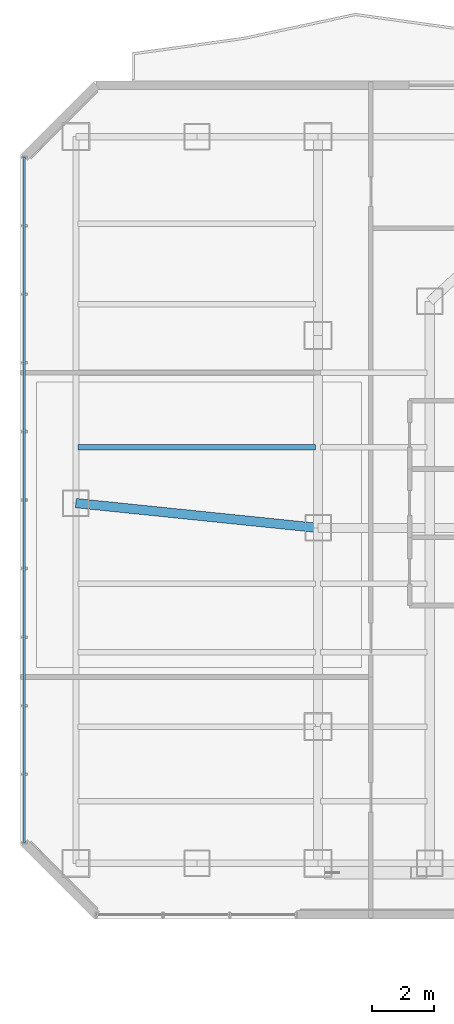
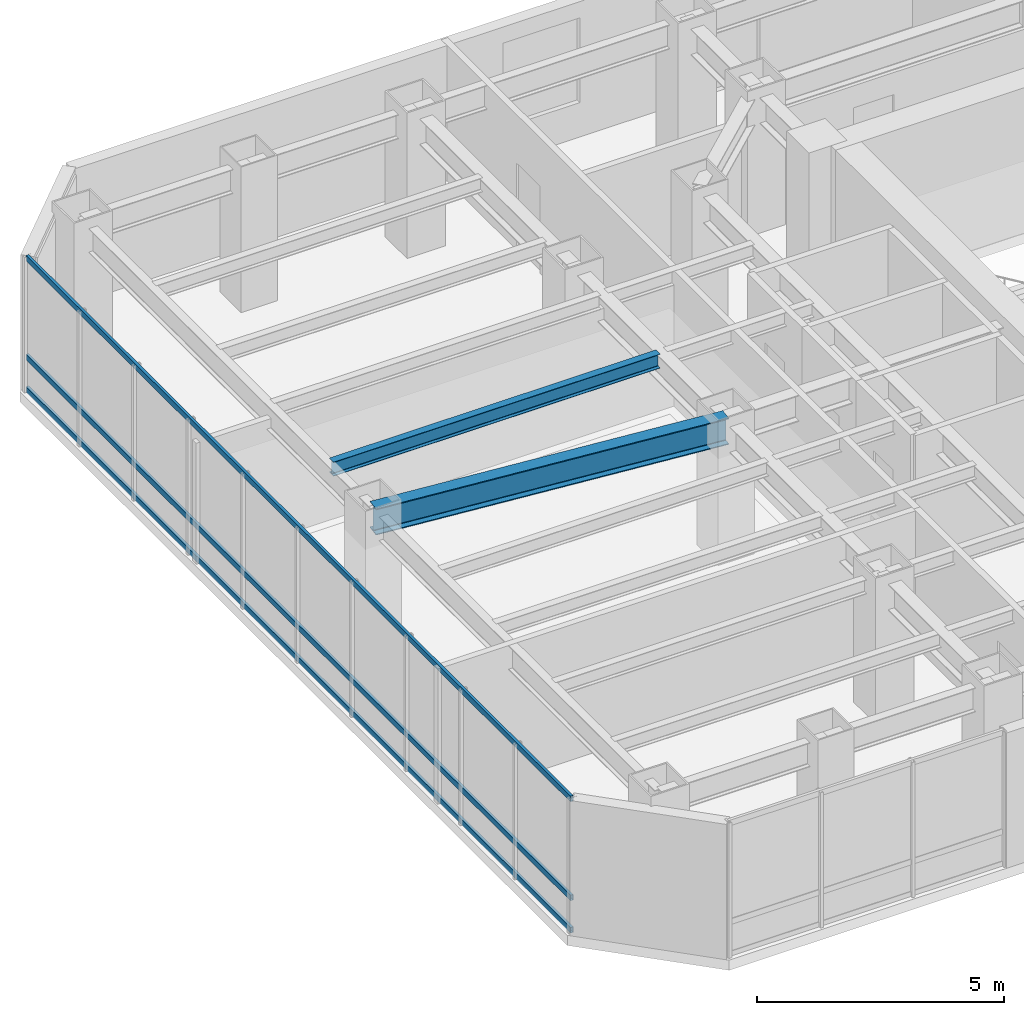
# One storey, part 14 of 29: 3 members, 2 beams, 1 element without a shape of its own.
"""IFC4 building model written with IfcOpenShell, lengths in metres."""

import ifcopenshell
import ifcopenshell.guid

model = None  # the IFC model being written
_history = None  # IfcOwnerHistory: only IFC2X3 demands one
_inside = {}  # id of a spatial element -> (the spatial element, [elements in it])
_under = {}  # id of a project, library or spatial element -> (it, [spatial elements below it])
_declared = {}  # id of a project -> (the project, [libraries it declares])
_typed = {}  # id of a type object -> (the type object, [elements of that type])
_made_of = {}  # id of a material, layer set ... -> (it, [elements and type objects made of it])


def new_model(schema):
    """Start an empty IFC model of exactly this schema.

    Asked for "IFC4X3", IfcOpenShell would pick the latest addendum, in which some entities
    have other attributes; the version numbers below select the first issue.
    IFC2X3 requires an IfcOwnerHistory on every rooted entity: one is made here for all.
    """
    global model, _history
    if schema == "IFC4X3":
        model = ifcopenshell.file(schema_version=(4, 3, 0, 0))
    else:
        model = ifcopenshell.file(schema=schema)
    _inside.clear()
    _under.clear()
    _declared.clear()
    _typed.clear()
    _made_of.clear()
    _history = None
    if model.schema == "IFC2X3":
        org = make("IfcOrganization", Name="unknown")
        user = make(
            "IfcPersonAndOrganization",
            ThePerson=make("IfcPerson", FamilyName="unknown"),
            TheOrganization=org,
        )
        app = make(
            "IfcApplication",
            ApplicationDeveloper=org,
            Version="unknown",
            ApplicationFullName="unknown",
            ApplicationIdentifier="unknown",
        )
        _history = make(
            "IfcOwnerHistory",
            OwningUser=user,
            OwningApplication=app,
            ChangeAction="ADDED",
            CreationDate=0,
        )
    return model


def make(cls, **values):
    """One entity of the class cls with the attributes given. An attribute that is None is left unset."""
    return model.create_entity(
        cls, **{name: value for name, value in values.items() if value is not None}
    )


def rooted(cls, **values):
    """An entity with a GlobalId (a new one), such as an element, a storey or a relation."""
    return make(cls, GlobalId=ifcopenshell.guid.new(), OwnerHistory=_history, **values)


def si_unit(unit_type, name, prefix=None):
    """IfcSIUnit, for example si_unit("LENGTHUNIT", "METRE", prefix="MILLI")."""
    return make("IfcSIUnit", UnitType=unit_type, Prefix=prefix, Name=name)


def assignment(units):
    """IfcUnitAssignment: the units of a project."""
    return None if units is None else make("IfcUnitAssignment", Units=units)


def point(xyz):
    """IfcCartesianPoint."""
    return None if xyz is None else make("IfcCartesianPoint", Coordinates=xyz)


def direction(xyz):
    """IfcDirection."""
    return None if xyz is None else make("IfcDirection", DirectionRatios=xyz)


def frame(location, z_axis=None, x_axis=None):
    """IfcAxis2Placement3D, a coordinate frame: its origin and axes. An axis left out is left unset."""
    return make(
        "IfcAxis2Placement3D",
        Location=point(location),
        Axis=direction(z_axis),
        RefDirection=direction(x_axis),
    )


def frame_2d(location, x_axis=None):
    """IfcAxis2Placement2D, a coordinate frame in the plane: its origin and x axis."""
    return make(
        "IfcAxis2Placement2D", Location=point(location), RefDirection=direction(x_axis)
    )


def origin():
    """The frame at (0, 0, 0) with its axes left unset."""
    return frame((0.0, 0.0, 0.0))


def origin_2d():
    """The frame at (0, 0) in the plane with its x axis left unset."""
    return frame_2d((0.0, 0.0))


def place(relative_to, where):
    """IfcLocalPlacement: puts the frame where relative to a parent placement (None: the world)."""
    return make(
        "IfcLocalPlacement", PlacementRelTo=relative_to, RelativePlacement=where
    )


def context(
    kind, dimensions, precision=None, world=None, true_north=None, identifier=None
):
    """IfcGeometricRepresentationContext, for example the 3D "Model" context."""
    return make(
        "IfcGeometricRepresentationContext",
        ContextIdentifier=identifier,
        ContextType=kind,
        CoordinateSpaceDimension=dimensions,
        Precision=precision,
        WorldCoordinateSystem=world,
        TrueNorth=true_north,
    )


def subcontext(parent, identifier, kind, view, scale=None):
    """IfcGeometricRepresentationSubContext, for example "Body" below "Model"."""
    return make(
        "IfcGeometricRepresentationSubContext",
        ContextIdentifier=identifier,
        ContextType=kind,
        ParentContext=parent,
        TargetScale=scale,
        TargetView=view,
    )


def project(units=None, contexts=None):
    """IfcProject with its units and contexts."""
    return rooted(
        "IfcProject",
        Name="project",
        RepresentationContexts=contexts,
        UnitsInContext=assignment(units),
    )


def spatial(cls, under=None, at=None, **own):
    """A site, building, storey or space (cls), placed at a placement, below another one or the project."""
    s = rooted(cls, ObjectPlacement=at, **own)
    if under is not None:
        _under.setdefault(under.id(), (under, []))[1].append(s)
    return s


def profile(cls, at=None, kind="AREA", **sizes):
    """A parametric profile (cls). Its sizes go by their IFC names, for example OverallWidth=200.0."""
    return make(cls, ProfileType=kind, Position=at, **sizes)


def hollow_rectangle(**sizes):
    """IfcRectangleHollowProfileDef."""
    return profile("IfcRectangleHollowProfileDef", **sizes)


def i_section(**sizes):
    """IfcIShapeProfileDef."""
    return profile("IfcIShapeProfileDef", **sizes)


def extrude(swept, where, along, depth):
    """IfcExtrudedAreaSolid: the profile swept, set in the frame where, extruded along a direction by depth."""
    return make(
        "IfcExtrudedAreaSolid",
        SweptArea=swept,
        Position=where,
        ExtrudedDirection=direction(along),
        Depth=depth,
    )


def shape(context_of_items, identifier, shape_type, items):
    """IfcShapeRepresentation: the items that make up one representation, for example the "Body"."""
    return make(
        "IfcShapeRepresentation",
        ContextOfItems=context_of_items,
        RepresentationIdentifier=identifier,
        RepresentationType=shape_type,
        Items=items,
    )


def material(Name=None, Category=None):
    """IfcMaterial."""
    return make("IfcMaterial", Name=Name, Category=Category)


def layer(
    of_material, thickness, ventilated=None, Name=None, Category=None, Priority=None
):
    """IfcMaterialLayer: one layer of a wall or slab, of a material (None: an air gap)."""
    return make(
        "IfcMaterialLayer",
        Material=of_material,
        LayerThickness=thickness,
        IsVentilated=ventilated,
        Name=Name,
        Category=Category,
        Priority=Priority,
    )


def layer_set(layers, Name=None):
    """IfcMaterialLayerSet."""
    return make("IfcMaterialLayerSet", MaterialLayers=layers, LayerSetName=Name)


def material_profile(
    of_material, cross_section, Name=None, Category=None, Priority=None
):
    """IfcMaterialProfile: a cross section and its material."""
    return make(
        "IfcMaterialProfile",
        Name=Name,
        Material=of_material,
        Profile=cross_section,
        Priority=Priority,
        Category=Category,
    )


def profile_set(profiles, Name=None, composite=None):
    """IfcMaterialProfileSet."""
    return make(
        "IfcMaterialProfileSet",
        Name=Name,
        MaterialProfiles=profiles,
        CompositeProfile=composite,
    )


def made_of(thing, what):
    """Note that an element or type object is made of a material, layer set ...; save() writes the relation."""
    if what is not None:
        _made_of.setdefault(what.id(), (what, []))[1].append(thing)
    return thing


def type_object(cls, material=None, **own):
    """A type object (cls), such as IfcWallType, which elements share."""
    return made_of(rooted(cls, **own), material)


def element(
    cls,
    number,
    at=None,
    inside=None,
    cuts=None,
    type_object=None,
    material=None,
    context=None,
    identifier="Body",
    shape_type=None,
    held_by="IfcProductDefinitionShape",
    body=None,
    shapes=None,
    **own,
):
    """One element of the class cls, such as IfcWall. Its Tag is "e" and its number.

    at: its placement. inside: the storey or other place that contains it. cuts: it is an
    opening in that element (IfcRelVoidsElement). A single representation is given by context,
    identifier, shape_type and body (its items); several are given by shapes. held_by: the class
    of the entity that holds the representations. save() writes the other relations.
    """
    e = rooted(cls, Tag="e%d" % number, ObjectPlacement=at, **own)
    if body is not None:
        shapes = [shape(context, identifier, shape_type, body)]
    if shapes is not None:
        e.Representation = make(held_by, Representations=shapes)
    if inside is not None:
        _inside.setdefault(inside.id(), (inside, []))[1].append(e)
    if cuts is not None:
        rooted(
            "IfcRelVoidsElement", RelatingBuildingElement=cuts, RelatedOpeningElement=e
        )
    if type_object is not None:
        _typed.setdefault(type_object.id(), (type_object, []))[1].append(e)
    return made_of(e, material)


def aggregate(whole, parts):
    """IfcRelAggregates: a whole, such as a stair, and the parts it consists of."""
    return rooted("IfcRelAggregates", RelatingObject=whole, RelatedObjects=parts)


def save(model, path):
    """Write the relations noted so far, then the file.

    IfcRelAggregates (storeys below a building ...), IfcRelContainedInSpatialStructure (elements
    in a storey), IfcRelDefinesByType, IfcRelAssociatesMaterial and IfcRelDeclares: one each for
    every whole, place, type object, material and project.
    """
    for whole, parts in _under.values():
        aggregate(whole, parts)
    for where, things in _inside.values():
        rooted(
            "IfcRelContainedInSpatialStructure",
            RelatedElements=things,
            RelatingStructure=where,
        )
    for kind, things in _typed.values():
        rooted("IfcRelDefinesByType", RelatedObjects=things, RelatingType=kind)
    for what, things in _made_of.values():
        rooted("IfcRelAssociatesMaterial", RelatedObjects=things, RelatingMaterial=what)
    for by, libraries in _declared.values():
        rooted("IfcRelDeclares", RelatingContext=by, RelatedDefinitions=libraries)
    model.write(path)


model = new_model("IFC4")

# Units and contexts
model_context = context("Model", 3, precision=1e-05, world=origin(), true_north=direction((0.0, 1.0)))
body_context = subcontext(model_context, "Body", "Model", "MODEL_VIEW")
ifc_project = project(units=[si_unit("LENGTHUNIT", "METRE"), si_unit("AREAUNIT", "SQUARE_METRE"), si_unit("VOLUMEUNIT", "CUBIC_METRE"), si_unit("PLANEANGLEUNIT", "RADIAN"), si_unit("MASSUNIT", "GRAM", prefix="KILO")], contexts=[model_context])

# Site, building, storey
site_placement = place(None, origin())
site = spatial("IfcSite", under=ifc_project, at=site_placement, CompositionType="ELEMENT")
building_placement = place(site_placement, origin())
building = spatial("IfcBuilding", under=site, at=building_placement, Name="Hatsunagi Terrace Concourse", CompositionType="ELEMENT")
storey_placement = place(building_placement, frame((0.0, 0.0, 108.449951171875)))
storey = spatial("IfcBuildingStorey", under=building, at=storey_placement, Name="L28", CompositionType="ELEMENT", Elevation=108.449951171875)

# Curtain wall, members
ifc_material_1 = material(Name="Anodised Aluminium Alloy 6063-T5", Category="aluminium")
ifc_layer = layer(ifc_material_1, 0.199951171875)
ifc_layer_set = layer_set([ifc_layer], Name="OfficeZone1_CW03")
curtain_wall_type = type_object("IfcCurtainWallType", Name="OfficeZone1_CW03", PredefinedType="NOTDEFINED", material=ifc_layer_set)
curtain_wall_placement = place(storey_placement, origin())
curtain_wall = element("IfcCurtainWall", 1, at=curtain_wall_placement, inside=storey, type_object=curtain_wall_type, Name="Unitised Curtain Wall CW-03 CW-L28-09", PredefinedType="NOTDEFINED")
ifc_material_2 = material(Name="Anodised Aluminium Alloy 6063-T5", Category="aluminium")
ifc_material_profile_1 = material_profile(ifc_material_2, hollow_rectangle(XDim=0.06494140625, YDim=0.139892578125, WallThickness=0.00390625, at=origin_2d()), Name="ALU-TRN-140x65x4")
ifc_profile_set_1 = profile_set([ifc_material_profile_1], Name="Anodised Aluminium Alloy 6063-T5")
member_type = type_object("IfcMemberType", Name="CurtainWallTransom_140x65", PredefinedType="USERDEFINED", material=ifc_profile_set_1)
member_1_placement = place(storey_placement, frame((9.739990234375, 25.85791015625, 0.050048828125), z_axis=(0.0, 1.0, 0.0), x_axis=(-1.0, 0.0, 0.0)))
member_1 = element("IfcMember", 2, at=member_1_placement, type_object=member_type, Name="Curtain Wall Transom TRN-02", ObjectType="TRANSOM", PredefinedType="USERDEFINED", context=body_context, shape_type="SweptSolid", body=[
    extrude(hollow_rectangle(XDim=0.06494140625, YDim=0.139892578125, WallThickness=0.00390625, at=origin_2d()), origin(), (0.0, 0.0, 1.0), 22.083984375),
])
member_2_placement = place(storey_placement, frame((9.739990234375, 25.85791015625, 0.85009765625), z_axis=(0.0, 1.0, 0.0), x_axis=(-1.0, 0.0, 0.0)))
member_2 = element("IfcMember", 3, at=member_2_placement, type_object=member_type, Name="Curtain Wall Transom TRN-02", ObjectType="TRANSOM", PredefinedType="USERDEFINED", context=body_context, shape_type="SweptSolid", body=[
    extrude(hollow_rectangle(XDim=0.06494140625, YDim=0.139892578125, WallThickness=0.00390625, at=origin_2d()), origin(), (0.0, 0.0, 1.0), 22.083984375),
])
member_3_placement = place(storey_placement, frame((9.739990234375, 25.85791015625, 3.300048828125), z_axis=(0.0, 1.0, 0.0), x_axis=(-1.0, 0.0, 0.0)))
member_3 = element("IfcMember", 4, at=member_3_placement, type_object=member_type, Name="Curtain Wall Transom TRN-02", ObjectType="TRANSOM", PredefinedType="USERDEFINED", context=body_context, shape_type="SweptSolid", body=[
    extrude(hollow_rectangle(XDim=0.06494140625, YDim=0.139892578125, WallThickness=0.00390625, at=origin_2d()), origin(), (0.0, 0.0, 1.0), 22.083984375),
])
aggregate(curtain_wall, [member_1, member_2, member_3])

# Beams
ifc_material_3 = material(Name="Steel SN490B", Category="steel")
ifc_material_profile_2 = material_profile(ifc_material_3, i_section(OverallWidth=0.175048828125, OverallDepth=0.35009765625, WebThickness=0.007080078125, FlangeThickness=0.010986328125, FilletRadius=0.012939453125, at=origin_2d()), Name="H-350x175x7x11")
ifc_profile_set_2 = profile_set([ifc_material_profile_2], Name="Steel SN490B")
beam_type_1 = type_object("IfcBeamType", Name="HotelJoist_H_350x175", PredefinedType="JOIST", material=ifc_profile_set_2)
beam_1_placement = place(storey_placement, frame((11.465087890625, 38.60009765625, 3.175048828125), z_axis=(1.0, 0.0, 0.0), x_axis=(0.0, 1.0, 0.0)))
element("IfcBeam", 5, at=beam_1_placement, inside=storey, type_object=beam_type_1, Name="Beam J-02 J-L28-W-11-386", PredefinedType="JOIST", context=body_context, shape_type="SweptSolid", body=[
    extrude(i_section(OverallWidth=0.175048828125, OverallDepth=0.35009765625, WebThickness=0.007080078125, FlangeThickness=0.010986328125, FilletRadius=0.012939453125, at=origin_2d()), origin(), (0.0, 0.0, 1.0), 7.64990234375),
])
ifc_material_4 = material(Name="Steel SN490B", Category="steel")
ifc_material_profile_3 = material_profile(ifc_material_4, i_section(OverallWidth=0.300048828125, OverallDepth=0.64990234375, WebThickness=0.012939453125, FlangeThickness=0.02197265625, FilletRadius=0.01806640625, at=origin_2d()), Name="H-650x300x13x22")
ifc_profile_set_3 = profile_set([ifc_material_profile_3], Name="Steel SN490B")
beam_type_2 = type_object("IfcBeamType", Name="OfficeLowGirder_H_650x300", PredefinedType="BEAM", material=ifc_profile_set_3)
beam_2_placement = place(storey_placement, frame((11.39990234375, 36.800048828125, 3.025146484375), z_axis=(0.994780871372, -0.102034395927, 0.0), x_axis=(0.102034395927, 0.994780871372, 0.0)))
element("IfcBeam", 6, at=beam_2_placement, inside=storey, type_object=beam_type_2, Name="Beam G-05 BM-L28-EW-2", PredefinedType="BEAM", context=body_context, shape_type="SweptSolid", body=[
    extrude(i_section(OverallWidth=0.300048828125, OverallDepth=0.64990234375, WebThickness=0.012939453125, FlangeThickness=0.02197265625, FilletRadius=0.01806640625, at=origin_2d()), origin(), (0.0, 0.0, 1.0), 7.841064453125),
])

save(model, "model.ifc")
